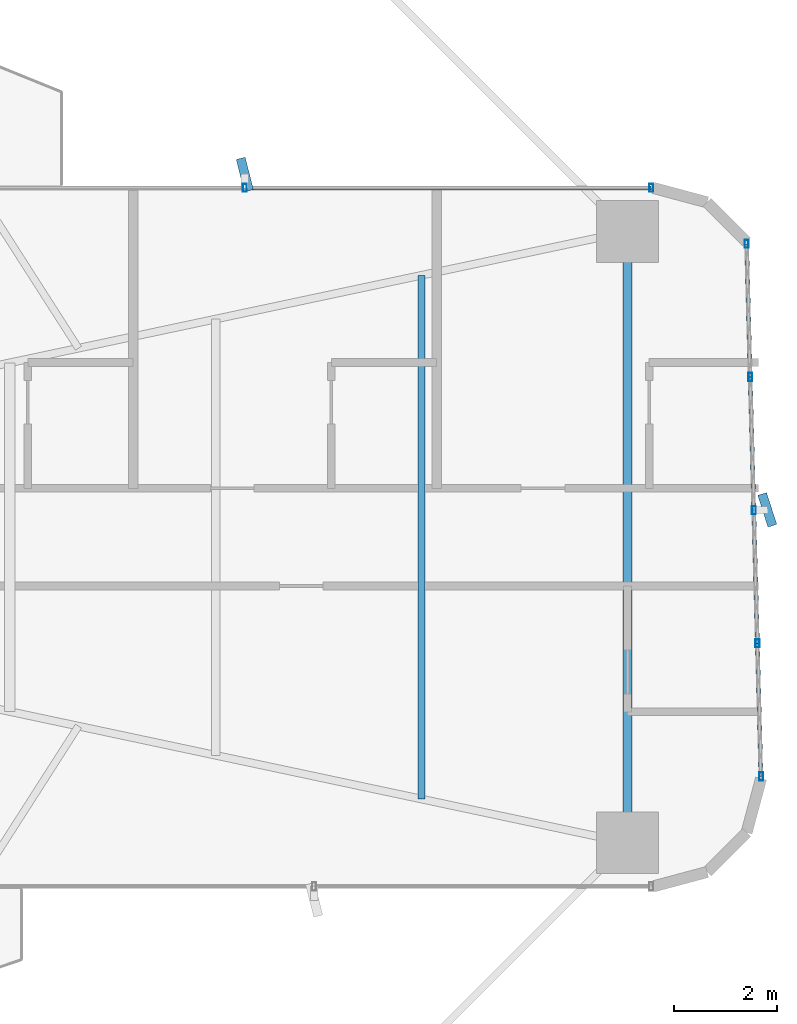
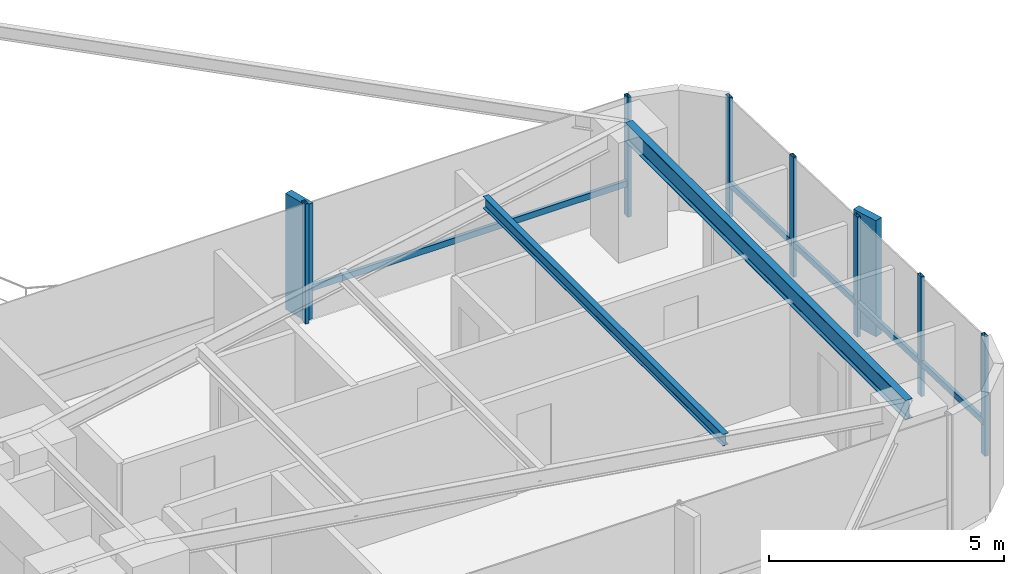
# One storey, part 16 of 26: 14 members, 2 beams, 2 elements without a shape of their own.
"""IFC4 building model written with IfcOpenShell, lengths in metres."""

from ifc_helpers import new_model, si_unit, direction, frame, origin, origin_2d, place, context, subcontext, project, spatial, rectangle, hollow_rectangle, i_section, extrude, source, transform, mapped, material, material_profile, profile_set, type_object, element, aggregate, save


model = new_model("IFC4")

# Units and contexts
model_context = context("Model", 3, precision=1e-05, world=origin(), true_north=direction((0.0, 1.0)))
body_context = subcontext(model_context, "Body", "Model", "MODEL_VIEW")
ifc_project = project(units=[si_unit("LENGTHUNIT", "METRE"), si_unit("AREAUNIT", "SQUARE_METRE"), si_unit("VOLUMEUNIT", "CUBIC_METRE"), si_unit("PLANEANGLEUNIT", "RADIAN"), si_unit("MASSUNIT", "GRAM", prefix="KILO")], contexts=[model_context])

# Site, building, storey
site_placement = place(None, origin())
site = spatial("IfcSite", under=ifc_project, at=site_placement, CompositionType="ELEMENT")
building_placement = place(site_placement, origin())
building = spatial("IfcBuilding", under=site, at=building_placement, Name="Sahyath Konkavel Grand Hotel", CompositionType="ELEMENT")
storey_placement = place(building_placement, frame((0.0, 0.0, 51.050048828125)))
storey = spatial("IfcBuildingStorey", under=building, at=storey_placement, Name="L13", CompositionType="ELEMENT", Elevation=51.050048828125)

# Beams
ifc_material_1 = material(Name="Steel E350", Category="steel")
ifc_material_profile_1 = material_profile(ifc_material_1, i_section(OverallWidth=0.179931640625, OverallDepth=0.5, WebThickness=0.01025390625, FlangeThickness=0.01708984375, FilletRadius=0.01708984375, at=origin_2d()), Name="ISMB 500")
ifc_profile_set_1 = profile_set([ifc_material_profile_1], Name="Steel E350")
beam_type_1 = type_object("IfcBeamType", Name="BM-ISMB500", PredefinedType="BEAM", material=ifc_profile_set_1)
shared_shape_1 = source(origin(), body_context, "Body", "SweptSolid", [
    extrude(i_section(OverallWidth=0.179931640625, OverallDepth=0.5, WebThickness=0.01025390625, FlangeThickness=0.01708984375, FilletRadius=0.01708984375, at=origin_2d()), origin(), (0.0, 0.0, 1.0), 11.89990234375),
])
beam_1_placement = place(storey_placement, frame((22.199951171875, -5.949951171875, 2.85986328125), z_axis=(0.0, 1.0, 0.0), x_axis=(-1.0, 0.0, 0.0)))
element("IfcBeam", 1, at=beam_1_placement, inside=storey, type_object=beam_type_1, Name="L13 Wing Tip Edge Beam E", PredefinedType="BEAM", context=body_context, shape_type="MappedRepresentation", body=[
    mapped(shared_shape_1, transform((0.0, 0.0, 0.0), scale=1.0)),
])
ifc_material_profile_2 = material_profile(ifc_material_1, i_section(OverallWidth=0.139892578125, OverallDepth=0.300048828125, WebThickness=0.0078125, FlangeThickness=0.01318359375, FilletRadius=0.013916015625, at=origin_2d()), Name="ISMB 300")
ifc_profile_set_2 = profile_set([ifc_material_profile_2], Name="Steel E350")
beam_type_2 = type_object("IfcBeamType", Name="BM-ISMB300", PredefinedType="BEAM", material=ifc_profile_set_2)
shared_shape_2 = source(origin(), body_context, "Body", "SweptSolid", [
    extrude(i_section(OverallWidth=0.139892578125, OverallDepth=0.300048828125, WebThickness=0.0078125, FlangeThickness=0.01318359375, FilletRadius=0.013916015625, at=origin_2d()), origin(), (0.0, 0.0, 1.0), 10.19580078125),
])
beam_2_placement = place(storey_placement, frame((18.19189453125, -5.097900390625, 2.9599609375), z_axis=(0.0, 1.0, 0.0), x_axis=(-1.0, 0.0, 0.0)))
element("IfcBeam", 2, at=beam_2_placement, inside=storey, type_object=beam_type_2, Name="L13 Secondary Floor Beam E-3", PredefinedType="BEAM", context=body_context, shape_type="MappedRepresentation", body=[
    mapped(shared_shape_2, transform((0.0, 0.0, 0.0), scale=1.0)),
])

# Curtain wall, members
ifc_material_2 = material(Name="Anodised Bronze Aluminium & Low-E Glazing", Category="aluminium")
curtain_wall_type = type_object("IfcCurtainWallType", Name="CW-ZONE1", PredefinedType="NOTDEFINED", material=ifc_material_2)
curtain_wall_1_placement = place(storey_placement, origin())
curtain_wall_1 = element("IfcCurtainWall", 3, at=curtain_wall_1_placement, inside=storey, type_object=curtain_wall_type, Name="L13 Unitised Curtain Wall F4", PredefinedType="NOTDEFINED")
ifc_material_3 = material(Name="Anodised Bronze Aluminium", Category="aluminium")
ifc_material_profile_3 = material_profile(ifc_material_3, hollow_rectangle(XDim=0.080078125, YDim=0.159912109375, WallThickness=0.006103515625, at=origin_2d()), Name="RHS 160x80x6")
ifc_profile_set_3 = profile_set([ifc_material_profile_3], Name="Anodised Bronze Aluminium")
member_type_1 = type_object("IfcMemberType", Name="CW-MUL-160", PredefinedType="MULLION", material=ifc_profile_set_3)
shared_shape_3 = source(origin(), body_context, "Body", "SweptSolid", [
    extrude(hollow_rectangle(XDim=0.080078125, YDim=0.159912109375, WallThickness=0.006103515625, at=origin_2d()), origin(), (0.0, 0.0, 1.0), 3.10986328125),
])
member_1_placement = place(storey_placement, frame((24.798828125, -4.659912109375, 0.0), z_axis=(0.0, 0.0, 1.0), x_axis=(1.0, 0.0, 0.0)))
member_1 = element("IfcMember", 4, at=member_1_placement, type_object=member_type_1, Name="L13 Curtain Wall Mullion F4-0", PredefinedType="MULLION", context=body_context, shape_type="MappedRepresentation", body=[
    mapped(shared_shape_3, transform((0.0, 0.0, 0.0), scale=1.0)),
])
member_2_placement = place(storey_placement, frame((24.72900390625, -2.0673828125, 0.0), z_axis=(0.0, 0.0, 1.0), x_axis=(1.0, 0.0, 0.0)))
member_2 = element("IfcMember", 5, at=member_2_placement, type_object=member_type_1, Name="L13 Curtain Wall Mullion F4-1", PredefinedType="MULLION", context=body_context, shape_type="MappedRepresentation", body=[
    mapped(shared_shape_3, transform((0.0, 0.0, 0.0), scale=1.0)),
])
member_3_placement = place(storey_placement, frame((24.6591796875, 0.52490234375, 0.0), z_axis=(0.0, 0.0, 1.0), x_axis=(1.0, 0.0, 0.0)))
member_3 = element("IfcMember", 6, at=member_3_placement, type_object=member_type_1, Name="L13 Curtain Wall Mullion F4-2", PredefinedType="MULLION", context=body_context, shape_type="MappedRepresentation", body=[
    mapped(shared_shape_3, transform((0.0, 0.0, 0.0), scale=1.0)),
])
member_4_placement = place(storey_placement, frame((24.589599609375, 3.117431640625, 0.0), z_axis=(0.0, 0.0, 1.0), x_axis=(1.0, 0.0, 0.0)))
member_4 = element("IfcMember", 7, at=member_4_placement, type_object=member_type_1, Name="L13 Curtain Wall Mullion F4-3", PredefinedType="MULLION", context=body_context, shape_type="MappedRepresentation", body=[
    mapped(shared_shape_3, transform((0.0, 0.0, 0.0), scale=1.0)),
])
member_5_placement = place(storey_placement, frame((24.519775390625, 5.7099609375, 0.0), z_axis=(0.0, 0.0, 1.0), x_axis=(1.0, 0.0, 0.0)))
member_5 = element("IfcMember", 8, at=member_5_placement, type_object=member_type_1, Name="L13 Curtain Wall Mullion F4-4", PredefinedType="MULLION", context=body_context, shape_type="MappedRepresentation", body=[
    mapped(shared_shape_3, transform((0.0, 0.0, 0.0), scale=1.0)),
])

curtain_wall_2_placement = place(storey_placement, origin())
curtain_wall_2 = element("IfcCurtainWall", 9, at=curtain_wall_2_placement, inside=storey, type_object=curtain_wall_type, Name="L13 Unitised Curtain Wall F7", PredefinedType="NOTDEFINED")
member_6_placement = place(storey_placement, frame((22.659912109375, 6.800048828125, 0.0), z_axis=(0.0, 0.0, 1.0), x_axis=(1.0, 0.0, 0.0)))
member_6 = element("IfcMember", 10, at=member_6_placement, type_object=member_type_1, Name="L13 Curtain Wall Mullion F7-0", PredefinedType="MULLION", context=body_context, shape_type="MappedRepresentation", body=[
    mapped(shared_shape_3, transform((0.0, 0.0, 0.0), scale=1.0)),
])
member_7_placement = place(storey_placement, frame((14.75, 6.800048828125, 0.0), z_axis=(0.0, 0.0, 1.0), x_axis=(1.0, 0.0, 0.0)))
member_7 = element("IfcMember", 11, at=member_7_placement, type_object=member_type_1, Name="L13 Curtain Wall Mullion F7-1", PredefinedType="MULLION", context=body_context, shape_type="MappedRepresentation", body=[
    mapped(shared_shape_3, transform((0.0, 0.0, 0.0), scale=1.0)),
])

# Member
ifc_material_4 = material(Name="Warm Buff Sandstone Cladding on Concrete C50/60", Category="masonry")
ifc_material_profile_4 = material_profile(ifc_material_4, rectangle(XDim=0.179931640625, YDim=0.64990234375, at=origin_2d()), Name="FIN 180x650")
ifc_profile_set_4 = profile_set([ifc_material_profile_4], Name="Warm Buff Sandstone Cladding on Concrete C50/60")
member_type_2 = type_object("IfcMemberType", Name="FIN-SANDSTONE-650", PredefinedType="MULLION", material=ifc_profile_set_4)
shared_shape_4 = source(origin(), body_context, "Body", "SweptSolid", [
    extrude(rectangle(XDim=0.179931640625, YDim=0.64990234375, at=origin_2d()), origin(), (0.0, 0.0, 1.0), 3.010009765625),
])
member_8_placement = place(storey_placement, frame((24.919189453125, 0.531982421875, 0.050048828125), z_axis=(0.0, 0.0, 1.0), x_axis=(0.951808747363, 0.306692204733, 0.0)))
member_8 = element("IfcMember", 12, at=member_8_placement, type_object=member_type_2, Name="L13 Sandstone Vertical Solar Fin FIN F4-2", PredefinedType="MULLION", context=body_context, shape_type="MappedRepresentation", body=[
    mapped(shared_shape_4, transform((0.0, 0.0, 0.0), scale=1.0)),
])

member_9_placement = place(storey_placement, frame((14.75, 7.06005859375, 0.050048828125), z_axis=(0.0, 0.0, 1.0), x_axis=(0.969359662404, 0.245645771192, 0.0)))
member_9 = element("IfcMember", 13, at=member_9_placement, type_object=member_type_2, Name="L13 Sandstone Vertical Solar Fin FIN F7-1", PredefinedType="MULLION", context=body_context, shape_type="MappedRepresentation", body=[
    mapped(shared_shape_4, transform((0.0, 0.0, 0.0), scale=1.0)),
])

ifc_material_profile_5 = material_profile(ifc_material_3, hollow_rectangle(XDim=0.080078125, YDim=0.159912109375, WallThickness=0.006103515625, at=origin_2d()), Name="RHS 160x80x6")
ifc_profile_set_5 = profile_set([ifc_material_profile_5], Name="Anodised Bronze Aluminium")
member_type_3 = type_object("IfcMemberType", Name="CW-TRN-160", PredefinedType="USERDEFINED", material=ifc_profile_set_5)
shared_shape_5 = source(origin(), body_context, "Body", "SweptSolid", [
    extrude(hollow_rectangle(XDim=0.080078125, YDim=0.159912109375, WallThickness=0.006103515625, at=origin_2d()), origin(), (0.0, 0.0, 1.0), 7.909912109375),
])
member_10_placement = place(storey_placement, frame((22.659912109375, 6.800048828125, 0.849853515625), z_axis=(-1.0, 0.0, 0.0), x_axis=(0.0, -1.0, 0.0)))
member_10 = element("IfcMember", 14, at=member_10_placement, type_object=member_type_3, Name="L13 Curtain Wall Transom F7-0-spandrel", ObjectType="TRANSOM", PredefinedType="USERDEFINED", context=body_context, shape_type="MappedRepresentation", body=[
    mapped(shared_shape_5, transform((0.0, 0.0, 0.0), scale=1.0)),
])

aggregate(curtain_wall_2, [member_6, member_7, member_9, member_10])

shared_shape_6 = source(origin(), body_context, "Body", "SweptSolid", [
    extrude(hollow_rectangle(XDim=0.080078125, YDim=0.159912109375, WallThickness=0.006103515625, at=origin_2d()), origin(), (0.0, 0.0, 1.0), 2.593505859375),
])
member_11_placement = place(storey_placement, frame((24.798828125, -4.659912109375, 0.849853515625), z_axis=(-0.026923093252, 0.999637507825, 0.0), x_axis=(-0.999637507825, -0.026923093252, 0.0)))
member_11 = element("IfcMember", 15, at=member_11_placement, type_object=member_type_3, Name="L13 Curtain Wall Transom F4-0-spandrel", ObjectType="TRANSOM", PredefinedType="USERDEFINED", context=body_context, shape_type="MappedRepresentation", body=[
    mapped(shared_shape_6, transform((0.0, 0.0, 0.0), scale=1.0)),
])

member_12_placement = place(storey_placement, frame((24.6591796875, 0.52490234375, 0.849853515625), z_axis=(-0.02682902444, 0.999640036937, 0.0), x_axis=(-0.999640036937, -0.02682902444, 0.0)))
member_12 = element("IfcMember", 16, at=member_12_placement, type_object=member_type_3, Name="L13 Curtain Wall Transom F4-2-spandrel", ObjectType="TRANSOM", PredefinedType="USERDEFINED", context=body_context, shape_type="MappedRepresentation", body=[
    mapped(shared_shape_6, transform((0.0, 0.0, 0.0), scale=1.0)),
])

member_13_placement = place(storey_placement, frame((24.589599609375, 3.117431640625, 0.849853515625), z_axis=(-0.026923093252, 0.999637507825, 0.0), x_axis=(-0.999637507825, -0.026923093252, 0.0)))
member_13 = element("IfcMember", 17, at=member_13_placement, type_object=member_type_3, Name="L13 Curtain Wall Transom F4-3-spandrel", ObjectType="TRANSOM", PredefinedType="USERDEFINED", context=body_context, shape_type="MappedRepresentation", body=[
    mapped(shared_shape_6, transform((0.0, 0.0, 0.0), scale=1.0)),
])

shared_shape_7 = source(origin(), body_context, "Body", "SweptSolid", [
    extrude(hollow_rectangle(XDim=0.080078125, YDim=0.159912109375, WallThickness=0.006103515625, at=origin_2d()), origin(), (0.0, 0.0, 1.0), 2.59326171875),
])
member_14_placement = place(storey_placement, frame((24.72900390625, -2.0673828125, 0.849853515625), z_axis=(-0.026925627022, 0.99963743958, 0.0), x_axis=(-0.99963743958, -0.026925627022, 0.0)))
member_14 = element("IfcMember", 18, at=member_14_placement, type_object=member_type_3, Name="L13 Curtain Wall Transom F4-1-spandrel", ObjectType="TRANSOM", PredefinedType="USERDEFINED", context=body_context, shape_type="MappedRepresentation", body=[
    mapped(shared_shape_7, transform((0.0, 0.0, 0.0), scale=1.0)),
])

aggregate(curtain_wall_1, [member_1, member_2, member_3, member_8, member_4, member_5, member_11, member_14, member_12, member_13])

save(model, "model.ifc")
